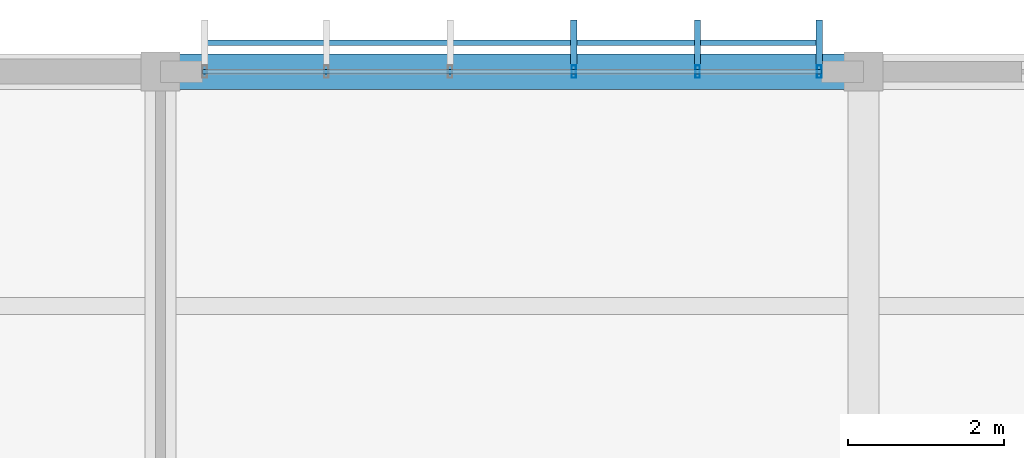
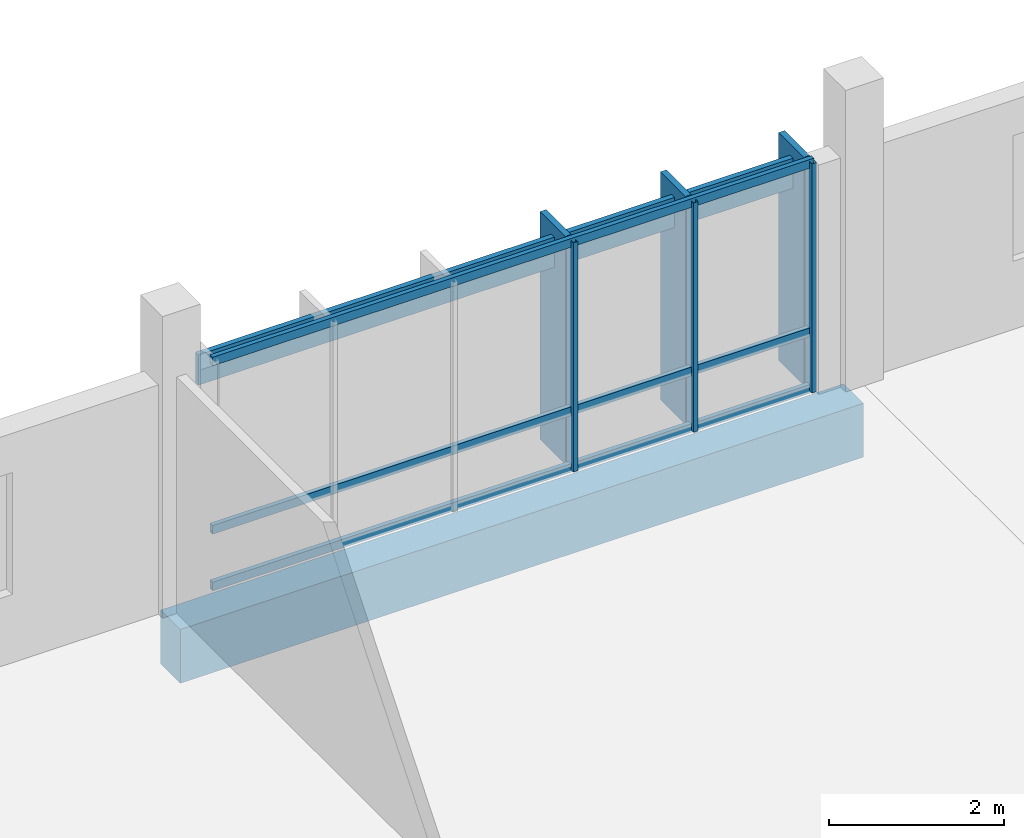
# One storey, part 71 of 107: 10 members, 1 beam, 1 element without a shape of its own.
"""IFC4 building model written with IfcOpenShell, lengths in metres."""

from ifc_helpers import new_model, si_unit, direction, frame, origin, origin_2d, place, context, subcontext, project, spatial, rectangle, hollow_rectangle, extrude, material, material_profile, profile_set, type_object, element, aggregate, save


model = new_model("IFC4")

# Units and contexts
model_context = context("Model", 3, precision=1e-05, world=origin(), true_north=direction((0.0, 1.0)))
body_context = subcontext(model_context, "Body", "Model", "MODEL_VIEW")
ifc_project = project(units=[si_unit("LENGTHUNIT", "METRE"), si_unit("AREAUNIT", "SQUARE_METRE"), si_unit("VOLUMEUNIT", "CUBIC_METRE"), si_unit("PLANEANGLEUNIT", "RADIAN"), si_unit("MASSUNIT", "GRAM", prefix="KILO")], contexts=[model_context])

# Site, building, storey
site_placement = place(None, origin())
site = spatial("IfcSite", under=ifc_project, at=site_placement, CompositionType="ELEMENT")
building_placement = place(site_placement, origin())
building = spatial("IfcBuilding", under=site, at=building_placement, Name="Chiffa Square Polytechnic", CompositionType="ELEMENT")
storey_placement = place(building_placement, frame((0.0, 0.0, 13.800048828125)))
storey = spatial("IfcBuildingStorey", under=building, at=storey_placement, Name="L03", CompositionType="ELEMENT", Elevation=13.800048828125)

# Beam
ifc_material_1 = material(Name="Concrete C35/45", Category="concrete")
ifc_material_profile_1 = material_profile(ifc_material_1, rectangle(XDim=0.449951171875, YDim=0.75, at=origin_2d()), Name="RC 450x750")
ifc_profile_set_1 = profile_set([ifc_material_profile_1], Name="Concrete C35/45")
beam_type = type_object("IfcBeamType", Name="BM-RC-450X750", PredefinedType="BEAM", material=ifc_profile_set_1)
beam_placement = place(storey_placement, frame((75.60009765625, 130.800048828125, -0.635009765625), z_axis=(1.0, 0.0, 0.0), x_axis=(0.0, 1.0, 0.0)))
element("IfcBeam", 1, at=beam_placement, inside=storey, type_object=beam_type, Name="Primary floor girder BM-V5-L03-X-0756-1308", PredefinedType="BEAM", context=body_context, shape_type="SweptSolid", body=[
    extrude(rectangle(XDim=0.449951171875, YDim=0.75, at=origin_2d()), origin(), (0.0, 0.0, 1.0), 9.0),
])

# Curtain wall, members
ifc_material_2 = material(Name="Aluminium EN AW-6060 T66 and glulam shading", Category="wood")
curtain_wall_type = type_object("IfcCurtainWallType", Name="CW-VERT-450X380", PredefinedType="USERDEFINED", material=ifc_material_2)
curtain_wall_placement = place(storey_placement, origin())
curtain_wall = element("IfcCurtainWall", 2, at=curtain_wall_placement, inside=storey, type_object=curtain_wall_type, Name="Curtain wall CW-V5-L03-234", ObjectType="CURTAIN WALL", PredefinedType="USERDEFINED")
ifc_material_3 = material(Name="Aluminium EN AW-6060 T66", Category="aluminium")
ifc_material_profile_2 = material_profile(ifc_material_3, hollow_rectangle(XDim=0.06005859375, YDim=0.159912109375, WallThickness=0.00390625, at=origin_2d()), Name="ALU 60x160x4")
ifc_profile_set_2 = profile_set([ifc_material_profile_2], Name="Aluminium EN AW-6060 T66")
member_type_1 = type_object("IfcMemberType", Name="CWM-ALU-65X150", PredefinedType="MULLION", material=ifc_profile_set_2)
member_1_placement = place(storey_placement, frame((84.034912109375, 130.800048828125, 0.0), z_axis=(0.0, 0.0, 1.0), x_axis=(1.0, 0.0, 0.0)))
member_1 = element("IfcMember", 3, at=member_1_placement, type_object=member_type_1, Name="Curtain wall mullion CW-V5-L03-234-M00", PredefinedType="MULLION", context=body_context, shape_type="SweptSolid", body=[
    extrude(hollow_rectangle(XDim=0.06005859375, YDim=0.159912109375, WallThickness=0.00390625, at=origin_2d()), origin(), (0.0, 0.0, 1.0), 3.195068359375),
])
member_2_placement = place(storey_placement, frame((82.47607421875, 130.800048828125, 0.0), z_axis=(0.0, 0.0, 1.0), x_axis=(1.0, 0.0, 0.0)))
member_2 = element("IfcMember", 4, at=member_2_placement, type_object=member_type_1, Name="Curtain wall mullion CW-V5-L03-234-M01", PredefinedType="MULLION", context=body_context, shape_type="SweptSolid", body=[
    extrude(hollow_rectangle(XDim=0.06005859375, YDim=0.159912109375, WallThickness=0.00390625, at=origin_2d()), origin(), (0.0, 0.0, 1.0), 3.195068359375),
])
member_3_placement = place(storey_placement, frame((80.89208984375, 130.800048828125, 0.0), z_axis=(0.0, 0.0, 1.0), x_axis=(1.0, 0.0, 0.0)))
member_3 = element("IfcMember", 5, at=member_3_placement, type_object=member_type_1, Name="Curtain wall mullion CW-V5-L03-234-M02", PredefinedType="MULLION", context=body_context, shape_type="SweptSolid", body=[
    extrude(hollow_rectangle(XDim=0.06005859375, YDim=0.159912109375, WallThickness=0.00390625, at=origin_2d()), origin(), (0.0, 0.0, 1.0), 3.195068359375),
])
ifc_material_4 = material(Name="Glulam GL28h", Category="wood")
ifc_material_profile_3 = material_profile(ifc_material_4, rectangle(XDim=0.080078125, YDim=0.580078125, at=origin_2d()), Name="GL28h 80x580")
ifc_profile_set_3 = profile_set([ifc_material_profile_3], Name="Glulam GL28h")
member_type_2 = type_object("IfcMemberType", Name="CWM-GL-80X580", PredefinedType="MULLION", material=ifc_profile_set_3)
member_4_placement = place(storey_placement, frame((84.034912109375, 131.172119140625, 0.010009765625), z_axis=(0.0, 0.0, 1.0), x_axis=(-1.0, 0.0, 0.0)))
member_4 = element("IfcMember", 6, at=member_4_placement, type_object=member_type_2, Name="Exterior glulam solar fin CW-V5-L03-234-FN00", PredefinedType="MULLION", context=body_context, shape_type="SweptSolid", body=[
    extrude(rectangle(XDim=0.080078125, YDim=0.580078125, at=origin_2d()), origin(), (0.0, 0.0, 1.0), 3.175048828125),
])
member_5_placement = place(storey_placement, frame((82.47607421875, 131.172119140625, 0.010009765625), z_axis=(0.0, 0.0, 1.0), x_axis=(-1.0, 0.0, 0.0)))
member_5 = element("IfcMember", 7, at=member_5_placement, type_object=member_type_2, Name="Exterior glulam solar fin CW-V5-L03-234-FN01", PredefinedType="MULLION", context=body_context, shape_type="SweptSolid", body=[
    extrude(rectangle(XDim=0.080078125, YDim=0.580078125, at=origin_2d()), origin(), (0.0, 0.0, 1.0), 3.175048828125),
])
member_6_placement = place(storey_placement, frame((80.89208984375, 131.172119140625, 0.010009765625), z_axis=(0.0, 0.0, 1.0), x_axis=(-1.0, 0.0, 0.0)))
member_6 = element("IfcMember", 8, at=member_6_placement, type_object=member_type_2, Name="Exterior glulam solar fin CW-V5-L03-234-FN02", PredefinedType="MULLION", context=body_context, shape_type="SweptSolid", body=[
    extrude(rectangle(XDim=0.080078125, YDim=0.580078125, at=origin_2d()), origin(), (0.0, 0.0, 1.0), 3.175048828125),
])
ifc_material_profile_4 = material_profile(ifc_material_3, hollow_rectangle(XDim=0.06005859375, YDim=0.1201171875, WallThickness=0.00390625, at=origin_2d()), Name="ALU 60x120x4")
ifc_profile_set_4 = profile_set([ifc_material_profile_4], Name="Aluminium EN AW-6060 T66")
member_type_3 = type_object("IfcMemberType", Name="CWT-ALU-65X120", PredefinedType="USERDEFINED", material=ifc_profile_set_4)
member_7_placement = place(storey_placement, frame((84.06201171875, 130.800048828125, 0.030029296875), z_axis=(-1.0, 0.0, 0.0), x_axis=(0.0, -1.0, 0.0)))
member_7 = element("IfcMember", 9, at=member_7_placement, type_object=member_type_3, Name="Curtain wall transom CW-V5-L03-234-T01", ObjectType="TRANSOM", PredefinedType="USERDEFINED", context=body_context, shape_type="SweptSolid", body=[
    extrude(hollow_rectangle(XDim=0.06005859375, YDim=0.1201171875, WallThickness=0.00390625, at=origin_2d()), origin(), (0.0, 0.0, 1.0), 7.924072265625),
])
member_8_placement = place(storey_placement, frame((84.06201171875, 130.800048828125, 0.820068359375), z_axis=(-1.0, 0.0, 0.0), x_axis=(0.0, -1.0, 0.0)))
member_8 = element("IfcMember", 10, at=member_8_placement, type_object=member_type_3, Name="Curtain wall transom CW-V5-L03-234-T02", ObjectType="TRANSOM", PredefinedType="USERDEFINED", context=body_context, shape_type="SweptSolid", body=[
    extrude(hollow_rectangle(XDim=0.06005859375, YDim=0.1201171875, WallThickness=0.00390625, at=origin_2d()), origin(), (0.0, 0.0, 1.0), 7.924072265625),
])
member_9_placement = place(storey_placement, frame((84.06201171875, 130.800048828125, 3.1650390625), z_axis=(-1.0, 0.0, 0.0), x_axis=(0.0, -1.0, 0.0)))
member_9 = element("IfcMember", 11, at=member_9_placement, type_object=member_type_3, Name="Curtain wall transom CW-V5-L03-234-T03", ObjectType="TRANSOM", PredefinedType="USERDEFINED", context=body_context, shape_type="SweptSolid", body=[
    extrude(hollow_rectangle(XDim=0.06005859375, YDim=0.1201171875, WallThickness=0.00390625, at=origin_2d()), origin(), (0.0, 0.0, 1.0), 7.924072265625),
])
ifc_material_profile_5 = material_profile(ifc_material_4, rectangle(XDim=0.070068359375, YDim=0.419921875, at=origin_2d()), Name="GL28h 70x420")
ifc_profile_set_5 = profile_set([ifc_material_profile_5], Name="Glulam GL28h")
member_type_4 = type_object("IfcMemberType", Name="CWT-GL-70X420", PredefinedType="USERDEFINED", material=ifc_profile_set_5)
member_10_placement = place(storey_placement, frame((84.034912109375, 131.172119140625, 2.81494140625), z_axis=(-1.0, 0.0, 0.0), x_axis=(0.0, -1.0, 0.0)))
member_10 = element("IfcMember", 12, at=member_10_placement, type_object=member_type_4, Name="Exterior glulam brise-soleil CW-V5-L03-234-BS01", ObjectType="TRANSOM", PredefinedType="USERDEFINED", context=body_context, shape_type="SweptSolid", body=[
    extrude(rectangle(XDim=0.070068359375, YDim=0.419921875, at=origin_2d()), origin(), (0.0, 0.0, 1.0), 7.869873046875),
])
aggregate(curtain_wall, [member_1, member_4, member_2, member_5, member_3, member_6, member_7, member_8, member_9, member_10])

save(model, "model.ifc")
